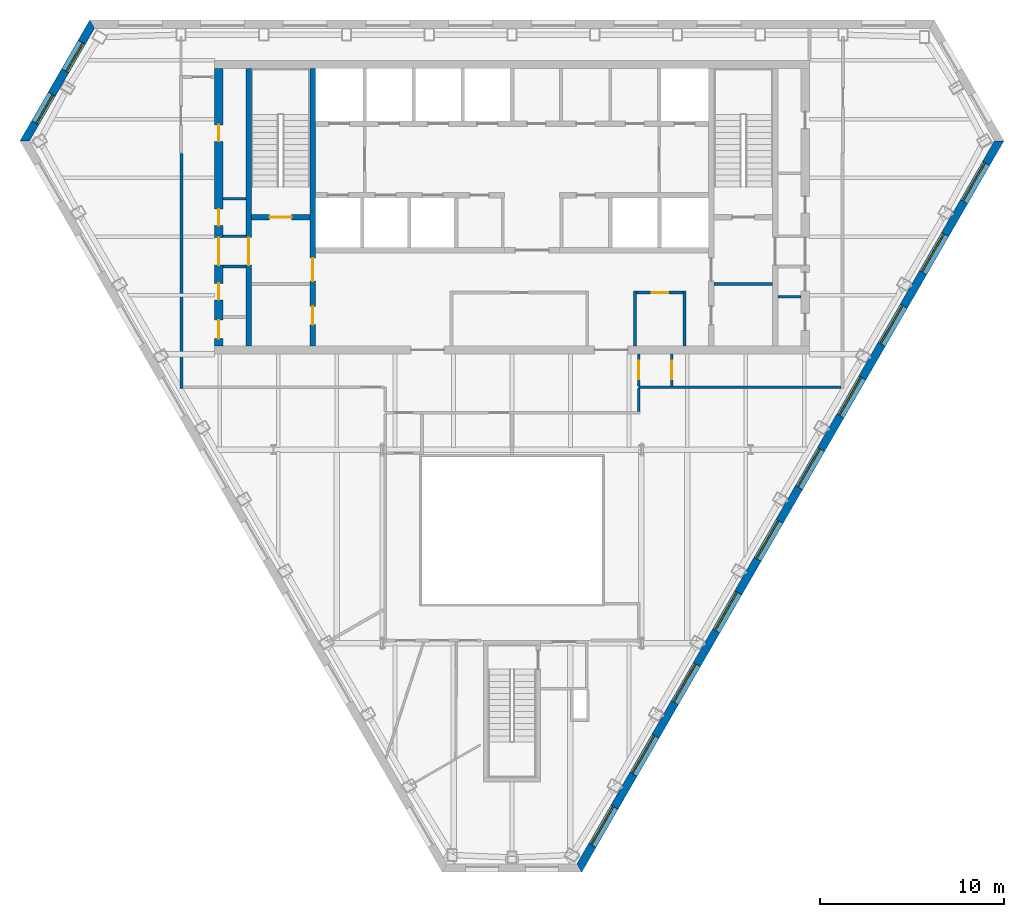
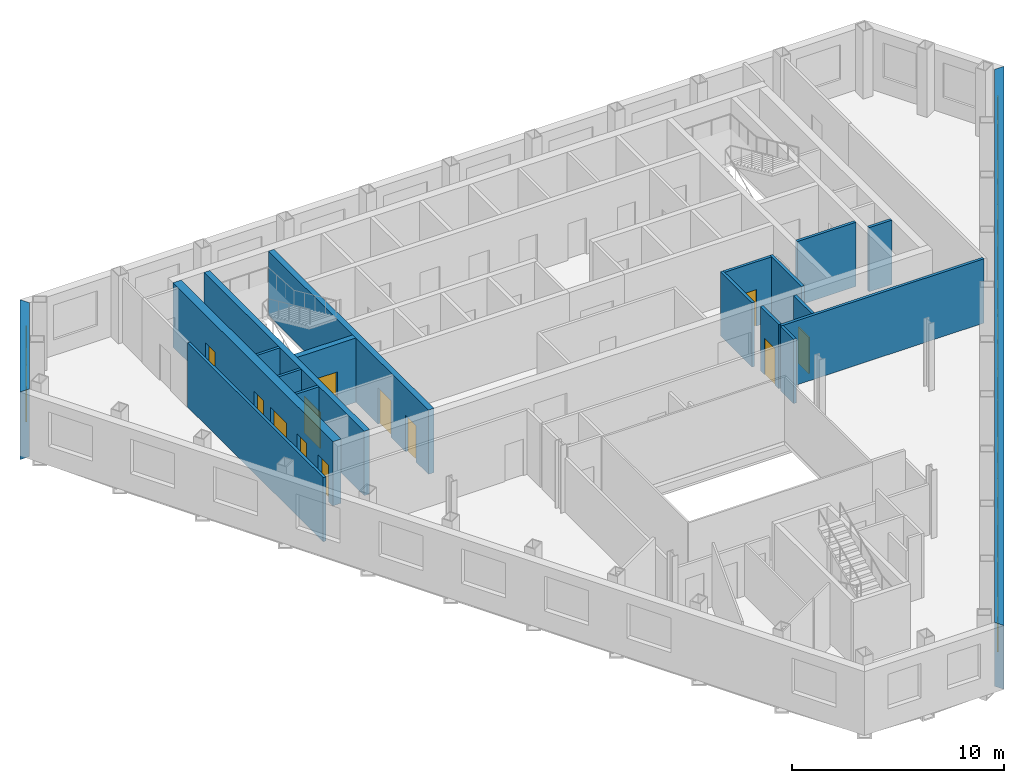
# One storey, part 5 of 10: 19 walls, 12 doors, 12 windows, 24 openings.
"""IFC4 building model written with IfcOpenShell, lengths in metres."""

from ifc_helpers import new_model, si_unit, direction, frame, frame_2d, origin, place, context, subcontext, project, spatial, polyline, rectangle, outline, extrude, material, layer, layer_set, type_object, element, fill, save


model = new_model("IFC4")

# Units and contexts
model_context = context("Model", 3, precision=1e-05, world=origin(), true_north=direction((0.0, 1.0)))
body_context = subcontext(model_context, "Body", "Model", "MODEL_VIEW")
ifc_project = project(units=[si_unit("LENGTHUNIT", "METRE"), si_unit("AREAUNIT", "SQUARE_METRE"), si_unit("VOLUMEUNIT", "CUBIC_METRE"), si_unit("PLANEANGLEUNIT", "RADIAN"), si_unit("MASSUNIT", "GRAM", prefix="KILO")], contexts=[model_context])

# Site, building, storey
site_placement = place(None, origin())
site = spatial("IfcSite", under=ifc_project, at=site_placement, CompositionType="ELEMENT")
building_placement = place(site_placement, origin())
building = spatial("IfcBuilding", under=site, at=building_placement, Name="Njiva Tower", CompositionType="ELEMENT")
storey_placement = place(building_placement, frame((0.0, 0.0, 192.6)))
storey = spatial("IfcBuildingStorey", under=building, at=storey_placement, Name="L42", CompositionType="ELEMENT", Elevation=192.6)

# Walls
ifc_material_1 = material(Name="Blockwork", Category="masonry")
ifc_layer_1 = layer(ifc_material_1, 0.15)
ifc_layer_set_1 = layer_set([ifc_layer_1], Name="Blockwork")
wall_type_1 = type_object("IfcWallType", Name="WT1 Compartment partition 150", PredefinedType="PARTITIONING", material=ifc_layer_set_1)
wall_1_placement = place(storey_placement, frame((11.0, 5.825, 0.0), z_axis=(0.0, 0.0, 1.0), x_axis=(1.0, 0.0, 0.0)))
element("IfcWall", 1, at=wall_1_placement, inside=storey, type_object=wall_type_1, Name="Room wall B", PredefinedType="PARTITIONING", context=body_context, shape_type="SweptSolid", body=[
    extrude(rectangle(XDim=3.2, YDim=0.15, at=frame_2d((1.6, 0.0))), origin(), (0.0, 0.0, 1.0), 3.7),
])
wall_2_placement = place(storey_placement, frame((14.5, 5.125, 0.0), z_axis=(0.0, 0.0, 1.0), x_axis=(1.0, 0.0, 0.0)))
element("IfcWall", 2, at=wall_2_placement, inside=storey, type_object=wall_type_1, Name="Partition strip E00", PredefinedType="PARTITIONING", context=body_context, shape_type="SweptSolid", body=[
    extrude(rectangle(XDim=1.25, YDim=0.15, at=frame_2d((0.625, 0.0))), origin(), (0.0, 0.0, 1.0), 3.7),
])
for number, where, z_axis, x_axis, name in (
    (3, (6.7, 2.45, 0.0), (0.0, 0.0, 1.0), (0.0, 1.0, 0.0), "Security office wall west"),
    (4, (9.4, 2.45, 0.0), (0.0, 0.0, 1.0), (0.0, 1.0, 0.0), "Security office wall east"),
):
    element("IfcWall", number, at=place(storey_placement, frame(where, z_axis=z_axis, x_axis=x_axis)), inside=storey, type_object=wall_type_1, Name=name, PredefinedType="PARTITIONING", context=body_context, shape_type="SweptSolid", body=[
        extrude(rectangle(XDim=2.975, YDim=0.15, at=frame_2d((1.4875, 0.0))), origin(), (0.0, 0.0, 1.0), 3.7),
    ])

# Wall, opening, door
wall_3_placement = place(storey_placement, frame((6.775, 5.35, 0.0), z_axis=(0.0, 0.0, 1.0), x_axis=(1.0, 0.0, 0.0)))
wall_3 = element("IfcWall", 5, at=wall_3_placement, inside=storey, type_object=wall_type_1, Name="Security office wall north", PredefinedType="PARTITIONING", context=body_context, shape_type="SweptSolid", body=[
    extrude(rectangle(XDim=2.55, YDim=0.15, at=frame_2d((1.275, 0.0))), origin(), (0.0, 0.0, 1.0), 3.7),
])
opening_1_placement = place(wall_3_placement, frame((0.825, 0.0, 0.0)))
opening_1 = element("IfcOpeningElement", 6, at=opening_1_placement, cuts=wall_3, Name="Opening S14-D935", PredefinedType="OPENING", context=body_context, shape_type="SweptSolid", body=[
    extrude(rectangle(XDim=0.9, YDim=2.1, at=frame_2d((0.45, 1.05))), frame((0.0, 0.085, 0.0), z_axis=(0.0, -1.0, 0.0), x_axis=(1.0, 0.0, 0.0)), (0.0, 0.0, 1.0), 0.17),
])
ifc_material_2 = material(Name="Steel fire door, painted", Category="steel")
door_type_1 = type_object("IfcDoorType", Name="D6 Fire-rated door 900x2100", OperationType="SINGLE_SWING_LEFT", PredefinedType="DOOR", material=ifc_material_2)
door_1_placement = place(opening_1_placement, origin())
door_1 = element("IfcDoor", 7, at=door_1_placement, inside=storey, type_object=door_type_1, Name="Security office door", OperationType="SINGLE_SWING_RIGHT", OverallHeight=2.1, OverallWidth=0.9, PredefinedType="DOOR", context=body_context, shape_type="SweptSolid", body=[
    extrude(rectangle(XDim=0.9, YDim=2.1, at=frame_2d((0.45, 1.05))), frame((0.0, 0.025, 0.0), z_axis=(0.0, -1.0, 0.0), x_axis=(1.0, 0.0, 0.0)), (0.0, 0.0, 1.0), 0.05),
])
fill(opening_1, door_1)

# Wall, openings, doors
ifc_material_3 = material(Name="Concrete C40/50", Category="concrete")
ifc_layer_2 = layer(ifc_material_3, 0.3)
ifc_layer_set_2 = layer_set([ifc_layer_2], Name="Concrete C40/50")
wall_type_2 = type_object("IfcWallType", Name="WT10 Stair enclosure wall 300", PredefinedType="SHEAR", material=ifc_layer_set_2)
wall_4_placement = place(storey_placement, frame((-10.85, 2.45, 0.0), z_axis=(0.0, 0.0, 1.0), x_axis=(0.0, 1.0, 0.0)))
wall_4 = element("IfcWall", 8, at=wall_4_placement, inside=storey, type_object=wall_type_2, Name="Stair wall west inner", PredefinedType="SHEAR", context=body_context, shape_type="SweptSolid", body=[
    extrude(rectangle(XDim=15.1, YDim=0.3, at=frame_2d((7.55, 0.0))), origin(), (0.0, 0.0, 1.0), 3.7),
])
opening_2_placement = place(wall_4_placement, frame((3.525, 0.0, 0.0)))
opening_2 = element("IfcOpeningElement", 9, at=opening_2_placement, cuts=wall_4, Name="Opening S14-D916", PredefinedType="OPENING", context=body_context, shape_type="SweptSolid", body=[
    extrude(rectangle(XDim=1.25, YDim=2.1, at=frame_2d((0.625, 1.05))), frame((0.0, 0.16, 0.0), z_axis=(0.0, -1.0, 0.0), x_axis=(1.0, 0.0, 0.0)), (0.0, 0.0, 1.0), 0.32),
])
opening_3_placement = place(wall_4_placement, frame((1.15, 0.0, 0.0)))
opening_3 = element("IfcOpeningElement", 10, at=opening_3_placement, cuts=wall_4, Name="Opening S14-D917", PredefinedType="OPENING", context=body_context, shape_type="SweptSolid", body=[
    extrude(rectangle(XDim=1.0, YDim=2.1, at=frame_2d((0.5, 1.05))), frame((0.0, 0.16, 0.0), z_axis=(0.0, -1.0, 0.0), x_axis=(1.0, 0.0, 0.0)), (0.0, 0.0, 1.0), 0.32),
])
ifc_material_4 = material(Name="Steel door, painted", Category="steel")
door_type_2 = type_object("IfcDoorType", Name="D5 Steel door 1000x2100", OperationType="SINGLE_SWING_LEFT", PredefinedType="DOOR", material=ifc_material_4)
door_2_placement = place(opening_3_placement, origin())
door_2 = element("IfcDoor", 11, at=door_2_placement, inside=storey, type_object=door_type_2, Name="Quiet room door", OperationType="SINGLE_SWING_RIGHT", OverallHeight=2.1, OverallWidth=1.0, PredefinedType="DOOR", context=body_context, shape_type="SweptSolid", body=[
    extrude(rectangle(XDim=1.0, YDim=2.1, at=frame_2d((0.5, 1.05))), frame((0.0, 0.025, 0.0), z_axis=(0.0, -1.0, 0.0), x_axis=(1.0, 0.0, 0.0)), (0.0, 0.0, 1.0), 0.05),
])
fill(opening_3, door_2)
ifc_material_5 = material(Name="Glazed steel fire door", Category="steel")
door_type_3 = type_object("IfcDoorType", Name="D8 Vestibule corridor door 1250x2100 glazed", OperationType="SINGLE_SWING_LEFT", PredefinedType="DOOR", material=ifc_material_5)
door_3_placement = place(opening_2_placement, origin())
door_3 = element("IfcDoor", 12, at=door_3_placement, inside=storey, type_object=door_type_3, Name="Stair vestibule corridor door", OperationType="SINGLE_SWING_LEFT", OverallHeight=2.1, OverallWidth=1.25, PredefinedType="DOOR", context=body_context, shape_type="SweptSolid", body=[
    extrude(rectangle(XDim=1.25, YDim=2.1, at=frame_2d((0.625, 1.05))), frame((0.0, 0.025, 0.0), z_axis=(0.0, -1.0, 0.0), x_axis=(1.0, 0.0, 0.0)), (0.0, 0.0, 1.0), 0.05),
])
fill(opening_2, door_3)

# Wall, opening, door
wall_5_placement = place(storey_placement, frame((-14.35, 2.45, 0.0), z_axis=(0.0, 0.0, 1.0), x_axis=(0.0, 1.0, 0.0)))
wall_5 = element("IfcWall", 13, at=wall_5_placement, inside=storey, type_object=wall_type_2, Name="Stair wall west outer", PredefinedType="SHEAR", context=body_context, shape_type="SweptSolid", body=[
    extrude(rectangle(XDim=15.1, YDim=0.3, at=frame_2d((7.55, 0.0))), origin(), (0.0, 0.0, 1.0), 3.7),
])
opening_4_placement = place(wall_5_placement, frame((4.4, 0.0, 0.0)))
opening_4 = element("IfcOpeningElement", 14, at=opening_4_placement, cuts=wall_5, Name="Opening S14-D922", PredefinedType="OPENING", context=body_context, shape_type="SweptSolid", body=[
    extrude(rectangle(XDim=1.5, YDim=2.1, at=frame_2d((0.75, 1.05))), frame((0.0, 0.16, 0.0), z_axis=(0.0, -1.0, 0.0), x_axis=(1.0, 0.0, 0.0)), (0.0, 0.0, 1.0), 0.32),
])
door_type_4 = type_object("IfcDoorType", Name="D10 Exit door double 1500x2100 glazed", OperationType="DOUBLE_DOOR_SINGLE_SWING", PredefinedType="DOOR", material=ifc_material_5)
door_4_placement = place(opening_4_placement, origin())
door_4 = element("IfcDoor", 15, at=door_4_placement, inside=storey, type_object=door_type_4, Name="Stair A passage door", OperationType="DOUBLE_DOOR_SINGLE_SWING", OverallHeight=2.1, OverallWidth=1.5, PredefinedType="DOOR", context=body_context, shape_type="SweptSolid", body=[
    extrude(rectangle(XDim=1.5, YDim=2.1, at=frame_2d((0.75, 1.05))), frame((0.0, 0.025, 0.0), z_axis=(0.0, -1.0, 0.0), x_axis=(1.0, 0.0, 0.0)), (0.0, 0.0, 1.0), 0.05),
])
fill(opening_4, door_4)

wall_6_placement = place(storey_placement, frame((-14.2, 9.45, 0.0), z_axis=(0.0, 0.0, 1.0), x_axis=(1.0, 0.0, 0.0)))
wall_6 = element("IfcWall", 16, at=wall_6_placement, inside=storey, type_object=wall_type_2, Name="Stair A south wall", PredefinedType="SHEAR", context=body_context, shape_type="SweptSolid", body=[
    extrude(rectangle(XDim=3.2, YDim=0.3, at=frame_2d((1.6, 0.0))), origin(), (0.0, 0.0, 1.0), 3.7),
])
opening_5_placement = place(wall_6_placement, frame((1.0, 0.0, 0.0)))
opening_5 = element("IfcOpeningElement", 17, at=opening_5_placement, cuts=wall_6, Name="Opening S14-D915", PredefinedType="OPENING", context=body_context, shape_type="SweptSolid", body=[
    extrude(rectangle(XDim=1.2, YDim=2.1, at=frame_2d((0.6, 1.05))), frame((0.0, 0.16, 0.0), z_axis=(0.0, -1.0, 0.0), x_axis=(1.0, 0.0, 0.0)), (0.0, 0.0, 1.0), 0.32),
])
door_type_5 = type_object("IfcDoorType", Name="D7 Stair vestibule door 1200x2100 glazed", OperationType="SINGLE_SWING_LEFT", PredefinedType="DOOR", material=ifc_material_5)
door_5_placement = place(opening_5_placement, origin())
door_5 = element("IfcDoor", 18, at=door_5_placement, inside=storey, type_object=door_type_5, Name="Stair A door", OperationType="SINGLE_SWING_LEFT", OverallHeight=2.1, OverallWidth=1.2, PredefinedType="DOOR", context=body_context, shape_type="SweptSolid", body=[
    extrude(rectangle(XDim=1.2, YDim=2.1, at=frame_2d((0.6, 1.05))), frame((0.0, 0.025, 0.0), z_axis=(0.0, -1.0, 0.0), x_axis=(1.0, 0.0, 0.0)), (0.0, 0.0, 1.0), 0.05),
])
fill(opening_5, door_5)

# Wall, openings, doors
ifc_material_6 = material(Name="Concrete C60/75", Category="concrete")
ifc_layer_3 = layer(ifc_material_6, 0.45)
ifc_layer_set_3 = layer_set([ifc_layer_3], Name="Concrete C60/75")
wall_type_3 = type_object("IfcWallType", Name="WT12 Core wall 450", PredefinedType="SHEAR", material=ifc_layer_set_3)
wall_7_placement = place(storey_placement, frame((-15.975, 2.45, 0.0), z_axis=(0.0, 0.0, 1.0), x_axis=(0.0, 1.0, 0.0)))
wall_7 = element("IfcWall", 19, at=wall_7_placement, inside=storey, type_object=wall_type_3, Name="Core wall west", PredefinedType="SHEAR", context=body_context, shape_type="SweptSolid", body=[
    extrude(rectangle(XDim=15.1, YDim=0.45, at=frame_2d((7.55, 0.0))), origin(), (0.0, 0.0, 1.0), 3.7),
])
opening_6_placement = place(wall_7_placement, frame((4.4, 0.0, 0.0)))
opening_6 = element("IfcOpeningElement", 20, at=opening_6_placement, cuts=wall_7, Name="Opening S14-D923", PredefinedType="OPENING", context=body_context, shape_type="SweptSolid", body=[
    extrude(rectangle(XDim=1.5, YDim=2.1, at=frame_2d((0.75, 1.05))), frame((0.0, 0.235, 0.0), z_axis=(0.0, -1.0, 0.0), x_axis=(1.0, 0.0, 0.0)), (0.0, 0.0, 1.0), 0.47),
])
opening_7_placement = place(wall_7_placement, frame((0.4, 0.0, 0.0)))
opening_7 = element("IfcOpeningElement", 21, at=opening_7_placement, cuts=wall_7, Name="Opening S14-D924", PredefinedType="OPENING", context=body_context, shape_type="SweptSolid", body=[
    extrude(rectangle(XDim=1.0, YDim=2.1, at=frame_2d((0.5, 1.05))), frame((0.0, 0.235, 0.0), z_axis=(0.0, -1.0, 0.0), x_axis=(1.0, 0.0, 0.0)), (0.0, 0.0, 1.0), 0.47),
])
opening_8_placement = place(wall_7_placement, frame((2.5, 0.0, 0.0)))
opening_8 = element("IfcOpeningElement", 22, at=opening_8_placement, cuts=wall_7, Name="Opening S14-D925", PredefinedType="OPENING", context=body_context, shape_type="SweptSolid", body=[
    extrude(rectangle(XDim=0.9, YDim=2.1, at=frame_2d((0.45, 1.05))), frame((0.0, 0.235, 0.0), z_axis=(0.0, -1.0, 0.0), x_axis=(1.0, 0.0, 0.0)), (0.0, 0.0, 1.0), 0.47),
])
opening_9_placement = place(wall_7_placement, frame((6.5439, 0.0, 0.0)))
opening_9 = element("IfcOpeningElement", 23, at=opening_9_placement, cuts=wall_7, Name="Opening S14-D926", PredefinedType="OPENING", context=body_context, shape_type="SweptSolid", body=[
    extrude(rectangle(XDim=0.9, YDim=2.1, at=frame_2d((0.45, 1.05))), frame((0.0, 0.235, 0.0), z_axis=(0.0, -1.0, 0.0), x_axis=(1.0, 0.0, 0.0)), (0.0, 0.0, 1.0), 0.47),
])
opening_10_placement = place(wall_7_placement, frame((11.1439, 0.0, 0.0)))
opening_10 = element("IfcOpeningElement", 24, at=opening_10_placement, cuts=wall_7, Name="Opening S14-D927", PredefinedType="OPENING", context=body_context, shape_type="SweptSolid", body=[
    extrude(rectangle(XDim=0.9, YDim=2.1, at=frame_2d((0.45, 1.05))), frame((0.0, 0.235, 0.0), z_axis=(0.0, -1.0, 0.0), x_axis=(1.0, 0.0, 0.0)), (0.0, 0.0, 1.0), 0.47),
])
door_6_placement = place(opening_6_placement, origin())
door_6 = element("IfcDoor", 25, at=door_6_placement, inside=storey, type_object=door_type_4, Name="Stair A corridor door", OperationType="DOUBLE_DOOR_SINGLE_SWING", OverallHeight=2.1, OverallWidth=1.5, PredefinedType="DOOR", context=body_context, shape_type="SweptSolid", body=[
    extrude(rectangle(XDim=1.5, YDim=2.1, at=frame_2d((0.75, 1.05))), frame((0.0, 0.025, 0.0), z_axis=(0.0, -1.0, 0.0), x_axis=(1.0, 0.0, 0.0)), (0.0, 0.0, 1.0), 0.05),
])
fill(opening_6, door_6)
door_type_6 = type_object("IfcDoorType", Name="D4 Riser door 900x2100", OperationType="SINGLE_SWING_LEFT", PredefinedType="DOOR", material=ifc_material_4)
door_7_placement = place(opening_9_placement, origin())
door_7 = element("IfcDoor", 26, at=door_7_placement, inside=storey, type_object=door_type_6, Name="Cable riser door", OperationType="SINGLE_SWING_RIGHT", OverallHeight=2.1, OverallWidth=0.9, PredefinedType="DOOR", context=body_context, shape_type="SweptSolid", body=[
    extrude(rectangle(XDim=0.9, YDim=2.1, at=frame_2d((0.45, 1.05))), frame((0.0, 0.025, 0.0), z_axis=(0.0, -1.0, 0.0), x_axis=(1.0, 0.0, 0.0)), (0.0, 0.0, 1.0), 0.05),
])
fill(opening_9, door_7)
door_8_placement = place(opening_7_placement, origin())
door_8 = element("IfcDoor", 27, at=door_8_placement, inside=storey, type_object=door_type_2, Name="Electrical room door", OperationType="SINGLE_SWING_RIGHT", OverallHeight=2.1, OverallWidth=1.0, PredefinedType="DOOR", context=body_context, shape_type="SweptSolid", body=[
    extrude(rectangle(XDim=1.0, YDim=2.1, at=frame_2d((0.5, 1.05))), frame((0.0, 0.025, 0.0), z_axis=(0.0, -1.0, 0.0), x_axis=(1.0, 0.0, 0.0)), (0.0, 0.0, 1.0), 0.05),
])
fill(opening_7, door_8)
door_9_placement = place(opening_8_placement, origin())
door_9 = element("IfcDoor", 28, at=door_9_placement, inside=storey, type_object=door_type_1, Name="Cable store door", OperationType="SINGLE_SWING_RIGHT", OverallHeight=2.1, OverallWidth=0.9, PredefinedType="DOOR", context=body_context, shape_type="SweptSolid", body=[
    extrude(rectangle(XDim=0.9, YDim=2.1, at=frame_2d((0.45, 1.05))), frame((0.0, 0.025, 0.0), z_axis=(0.0, -1.0, 0.0), x_axis=(1.0, 0.0, 0.0)), (0.0, 0.0, 1.0), 0.05),
])
fill(opening_8, door_9)
door_10_placement = place(opening_10_placement, origin())
door_10 = element("IfcDoor", 29, at=door_10_placement, inside=storey, type_object=door_type_1, Name="Cable store door", OperationType="SINGLE_SWING_LEFT", OverallHeight=2.1, OverallWidth=0.9, PredefinedType="DOOR", context=body_context, shape_type="SweptSolid", body=[
    extrude(rectangle(XDim=0.9, YDim=2.1, at=frame_2d((0.45, 1.05))), frame((0.0, 0.025, 0.0), z_axis=(0.0, -1.0, 0.0), x_axis=(1.0, 0.0, 0.0)), (0.0, 0.0, 1.0), 0.05),
])
fill(opening_10, door_10)

# Walls
ifc_material_7 = material(Name="Gypsum board on steel studs", Category="gypsum")
ifc_layer_4 = layer(ifc_material_7, 0.15)
ifc_layer_set_4 = layer_set([ifc_layer_4], Name="Gypsum board on steel studs")
wall_type_4 = type_object("IfcWallType", Name="WT21 Compartment wall 150", PredefinedType="PARTITIONING", material=ifc_layer_set_4)
wall_8_placement = place(storey_placement, frame((-18.0, 0.125, 0.0), z_axis=(0.0, 0.0, 1.0), x_axis=(0.0, 1.0, 0.0)))
element("IfcWall", 30, at=wall_8_placement, inside=storey, type_object=wall_type_4, Name="Partition S14-P003", PredefinedType="PARTITIONING", context=body_context, shape_type="SweptSolid", body=[
    extrude(rectangle(XDim=12.8, YDim=0.15, at=frame_2d((6.4, 0.0))), origin(), (0.0, 0.0, 1.0), 3.7),
])
wall_9_placement = place(storey_placement, frame((6.9, -1.125, 0.0), z_axis=(0.0, 0.0, 1.0), x_axis=(0.0, 1.0, 0.0)))
element("IfcWall", 31, at=wall_9_placement, inside=storey, type_object=wall_type_4, Name="Partition S14-P021", PredefinedType="PARTITIONING", context=body_context, shape_type="SweptSolid", body=[
    extrude(rectangle(XDim=1.25, YDim=0.15, at=frame_2d((0.625, 0.0))), origin(), (0.0, 0.0, 1.0), 3.7),
])
wall_10_placement = place(storey_placement, frame((6.9, 0.2, 0.0), z_axis=(0.0, 0.0, 1.0), x_axis=(1.0, 0.0, 0.0)))
element("IfcWall", 32, at=wall_10_placement, inside=storey, type_object=wall_type_4, Name="Partition S14-P022", PredefinedType="PARTITIONING", context=body_context, shape_type="SweptSolid", body=[
    extrude(rectangle(XDim=11.025, YDim=0.15, at=frame_2d((5.5125, 0.0))), origin(), (0.0, 0.0, 1.0), 3.7),
])

# Wall, opening, door
wall_11_placement = place(storey_placement, frame((6.9, 0.275, 0.0), z_axis=(0.0, 0.0, 1.0), x_axis=(0.0, 1.0, 0.0)))
wall_11 = element("IfcWall", 33, at=wall_11_placement, inside=storey, type_object=wall_type_4, Name="Partition S14-P023", PredefinedType="PARTITIONING", context=body_context, shape_type="SweptSolid", body=[
    extrude(rectangle(XDim=1.725, YDim=0.15, at=frame_2d((0.8625, 0.0))), origin(), (0.0, 0.0, 1.0), 3.7),
])
opening_11_placement = place(wall_11_placement, frame((0.362, 0.0, 0.0)))
opening_11 = element("IfcOpeningElement", 34, at=opening_11_placement, cuts=wall_11, Name="Opening S14-D010", PredefinedType="OPENING", context=body_context, shape_type="SweptSolid", body=[
    extrude(rectangle(XDim=1.0, YDim=2.1, at=frame_2d((0.5, 1.05))), frame((0.0, 0.085, 0.0), z_axis=(0.0, -1.0, 0.0), x_axis=(1.0, 0.0, 0.0)), (0.0, 0.0, 1.0), 0.17),
])
ifc_material_8 = material(Name="Steel fire door set", Category="steel")
door_type_7 = type_object("IfcDoorType", Name="D37 Fire door 1000x2100", OperationType="SINGLE_SWING_LEFT", PredefinedType="DOOR", material=ifc_material_8)
door_11_placement = place(opening_11_placement, origin())
door_11 = element("IfcDoor", 35, at=door_11_placement, inside=storey, type_object=door_type_7, Name="Door S14-D010", OperationType="SINGLE_SWING_LEFT", OverallHeight=2.1, OverallWidth=1.0, PredefinedType="DOOR", context=body_context, shape_type="SweptSolid", body=[
    extrude(rectangle(XDim=1.0, YDim=2.1, at=frame_2d((0.5, 1.05))), frame((0.0, 0.025, 0.0), z_axis=(0.0, -1.0, 0.0), x_axis=(1.0, 0.0, 0.0)), (0.0, 0.0, 1.0), 0.05),
])
fill(opening_11, door_11)

wall_12_placement = place(storey_placement, frame((8.7, 0.275, 0.0), z_axis=(0.0, 0.0, 1.0), x_axis=(0.0, 1.0, 0.0)))
wall_12 = element("IfcWall", 36, at=wall_12_placement, inside=storey, type_object=wall_type_4, Name="Partition S14-P024", PredefinedType="PARTITIONING", context=body_context, shape_type="SweptSolid", body=[
    extrude(rectangle(XDim=1.725, YDim=0.15, at=frame_2d((0.8625, 0.0))), origin(), (0.0, 0.0, 1.0), 3.7),
])
opening_12_placement = place(wall_12_placement, frame((0.363, 0.0, 0.0)))
opening_12 = element("IfcOpeningElement", 37, at=opening_12_placement, cuts=wall_12, Name="Opening S14-D011", PredefinedType="OPENING", context=body_context, shape_type="SweptSolid", body=[
    extrude(rectangle(XDim=1.0, YDim=2.1, at=frame_2d((0.5, 1.05))), frame((0.0, 0.085, 0.0), z_axis=(0.0, -1.0, 0.0), x_axis=(1.0, 0.0, 0.0)), (0.0, 0.0, 1.0), 0.17),
])
door_12_placement = place(opening_12_placement, origin())
door_12 = element("IfcDoor", 38, at=door_12_placement, inside=storey, type_object=door_type_7, Name="Door S14-D011", OperationType="SINGLE_SWING_RIGHT", OverallHeight=2.1, OverallWidth=1.0, PredefinedType="DOOR", context=body_context, shape_type="SweptSolid", body=[
    extrude(rectangle(XDim=1.0, YDim=2.1, at=frame_2d((0.5, 1.05))), frame((0.0, 0.025, 0.0), z_axis=(0.0, -1.0, 0.0), x_axis=(1.0, 0.0, 0.0)), (0.0, 0.0, 1.0), 0.05),
])
fill(opening_12, door_12)

# Walls
ifc_layer_5 = layer(ifc_material_1, 0.15)
ifc_layer_set_5 = layer_set([ifc_layer_5], Name="Blockwork")
wall_type_5 = type_object("IfcWallType", Name="WT3 Riser partition 150", PredefinedType="PARTITIONING", material=ifc_layer_set_5)
wall_13_placement = place(storey_placement, frame((-15.75, 10.4629, 0.0), z_axis=(0.0, 0.0, 1.0), x_axis=(1.0, 0.0, 0.0)))
element("IfcWall", 39, at=wall_13_placement, inside=storey, type_object=wall_type_5, Name="Partition strip W10", PredefinedType="PARTITIONING", context=body_context, shape_type="SweptSolid", body=[
    extrude(rectangle(XDim=1.25, YDim=0.15, at=frame_2d((0.625, 0.0))), origin(), (0.0, 0.0, 1.0), 3.7),
])
ifc_layer_6 = layer(ifc_material_1, 0.15)
ifc_layer_set_6 = layer_set([ifc_layer_6], Name="Blockwork")
wall_type_6 = type_object("IfcWallType", Name="WT4 Stair partition 150", PredefinedType="PARTITIONING", material=ifc_layer_set_6)
for number, where, z_axis, x_axis, name in (
    (40, (-15.75, 6.775, 0.0), (0.0, 0.0, 1.0), (1.0, 0.0, 0.0), "Stair A exit passage wall south"),
    (41, (-15.75, 8.425, 0.0), (0.0, 0.0, 1.0), (1.0, 0.0, 0.0), "Stair A exit passage wall north"),
):
    element("IfcWall", number, at=place(storey_placement, frame(where, z_axis=z_axis, x_axis=x_axis)), inside=storey, type_object=wall_type_6, Name=name, PredefinedType="PARTITIONING", context=body_context, shape_type="SweptSolid", body=[
        extrude(rectangle(XDim=1.25, YDim=0.15, at=frame_2d((0.625, 0.0))), origin(), (0.0, 0.0, 1.0), 3.7),
    ])

# Wall, openings, windows
ifc_material_9 = material(Name="Brick masonry", Category="masonry")
ifc_layer_7 = layer(ifc_material_9, 0.45)
ifc_layer_set_7 = layer_set([ifc_layer_7], Name="Brick masonry")
wall_type_7 = type_object("IfcWallType", Name="WT90 Brick pier and spandrel wall 450", PredefinedType="SOLIDWALL", material=ifc_layer_set_7)
wall_14_placement = place(storey_placement, frame((3.6701, -25.994, -0.18), z_axis=(0.0, 0.0, 1.0), x_axis=(0.499999764979, 0.866025539474, 0.0)))
wall_14 = element("IfcWall", 42, at=wall_14_placement, inside=storey, type_object=wall_type_7, Name="Facade wall SE", PredefinedType="SOLIDWALL", context=body_context, shape_type="SweptSolid", body=[
    extrude(outline(polyline([(-0.1299, -0.225), (45.8701, -0.225), (45.6103, 0.225), (0.1299, 0.225), (-0.1299, -0.225)])), origin(), (0.0, 0.0, 1.0), 3.68),
])
opening_13_placement = place(wall_14_placement, frame((1.4242, 0.0, 1.08)))
opening_13 = element("IfcOpeningElement", 43, at=opening_13_placement, cuts=wall_14, Name="Opening S14-W23", PredefinedType="OPENING", context=body_context, shape_type="SweptSolid", body=[
    extrude(rectangle(XDim=2.4, YDim=2.0, at=frame_2d((1.2, 1.0))), frame((0.0, 0.235, 0.0), z_axis=(0.0, -1.0, 0.0), x_axis=(1.0, 0.0, 0.0)), (0.0, 0.0, 1.0), 0.47),
])
opening_14_placement = place(wall_14_placement, frame((5.8934, 0.0, 1.08)))
opening_14 = element("IfcOpeningElement", 44, at=opening_14_placement, cuts=wall_14, Name="Opening S14-W24", PredefinedType="OPENING", context=body_context, shape_type="SweptSolid", body=[
    extrude(rectangle(XDim=2.4, YDim=2.0, at=frame_2d((1.2, 1.0))), frame((0.0, 0.235, 0.0), z_axis=(0.0, -1.0, 0.0), x_axis=(1.0, 0.0, 0.0)), (0.0, 0.0, 1.0), 0.47),
])
opening_15_placement = place(wall_14_placement, frame((10.401, 0.0, 1.08)))
opening_15 = element("IfcOpeningElement", 45, at=opening_15_placement, cuts=wall_14, Name="Opening S14-W25", PredefinedType="OPENING", context=body_context, shape_type="SweptSolid", body=[
    extrude(rectangle(XDim=2.4, YDim=2.0, at=frame_2d((1.2, 1.0))), frame((0.0, 0.235, 0.0), z_axis=(0.0, -1.0, 0.0), x_axis=(1.0, 0.0, 0.0)), (0.0, 0.0, 1.0), 0.47),
])
opening_16_placement = place(wall_14_placement, frame((14.9087, 0.0, 1.08)))
opening_16 = element("IfcOpeningElement", 46, at=opening_16_placement, cuts=wall_14, Name="Opening S14-W26", PredefinedType="OPENING", context=body_context, shape_type="SweptSolid", body=[
    extrude(rectangle(XDim=2.4, YDim=2.0, at=frame_2d((1.2, 1.0))), frame((0.0, 0.235, 0.0), z_axis=(0.0, -1.0, 0.0), x_axis=(1.0, 0.0, 0.0)), (0.0, 0.0, 1.0), 0.47),
])
opening_17_placement = place(wall_14_placement, frame((19.4163, 0.0, 1.08)))
opening_17 = element("IfcOpeningElement", 47, at=opening_17_placement, cuts=wall_14, Name="Opening S14-W27", PredefinedType="OPENING", context=body_context, shape_type="SweptSolid", body=[
    extrude(rectangle(XDim=2.4, YDim=2.0, at=frame_2d((1.2, 1.0))), frame((0.0, 0.235, 0.0), z_axis=(0.0, -1.0, 0.0), x_axis=(1.0, 0.0, 0.0)), (0.0, 0.0, 1.0), 0.47),
])
opening_18_placement = place(wall_14_placement, frame((23.9239, 0.0, 1.08)))
opening_18 = element("IfcOpeningElement", 48, at=opening_18_placement, cuts=wall_14, Name="Opening S14-W28", PredefinedType="OPENING", context=body_context, shape_type="SweptSolid", body=[
    extrude(rectangle(XDim=2.4, YDim=2.0, at=frame_2d((1.2, 1.0))), frame((0.0, 0.235, 0.0), z_axis=(0.0, -1.0, 0.0), x_axis=(1.0, 0.0, 0.0)), (0.0, 0.0, 1.0), 0.47),
])
opening_19_placement = place(wall_14_placement, frame((28.4315, 0.0, 1.08)))
opening_19 = element("IfcOpeningElement", 49, at=opening_19_placement, cuts=wall_14, Name="Opening S14-W29", PredefinedType="OPENING", context=body_context, shape_type="SweptSolid", body=[
    extrude(rectangle(XDim=2.4, YDim=2.0, at=frame_2d((1.2, 1.0))), frame((0.0, 0.235, 0.0), z_axis=(0.0, -1.0, 0.0), x_axis=(1.0, 0.0, 0.0)), (0.0, 0.0, 1.0), 0.47),
])
opening_20_placement = place(wall_14_placement, frame((32.9391, 0.0, 1.08)))
opening_20 = element("IfcOpeningElement", 50, at=opening_20_placement, cuts=wall_14, Name="Opening S14-W30", PredefinedType="OPENING", context=body_context, shape_type="SweptSolid", body=[
    extrude(rectangle(XDim=2.4, YDim=2.0, at=frame_2d((1.2, 1.0))), frame((0.0, 0.235, 0.0), z_axis=(0.0, -1.0, 0.0), x_axis=(1.0, 0.0, 0.0)), (0.0, 0.0, 1.0), 0.47),
])
opening_21_placement = place(wall_14_placement, frame((37.4468, 0.0, 1.08)))
opening_21 = element("IfcOpeningElement", 51, at=opening_21_placement, cuts=wall_14, Name="Opening S14-W31", PredefinedType="OPENING", context=body_context, shape_type="SweptSolid", body=[
    extrude(rectangle(XDim=2.4, YDim=2.0, at=frame_2d((1.2, 1.0))), frame((0.0, 0.235, 0.0), z_axis=(0.0, -1.0, 0.0), x_axis=(1.0, 0.0, 0.0)), (0.0, 0.0, 1.0), 0.47),
])
opening_22_placement = place(wall_14_placement, frame((41.916, 0.0, 1.08)))
opening_22 = element("IfcOpeningElement", 52, at=opening_22_placement, cuts=wall_14, Name="Opening S14-W32", PredefinedType="OPENING", context=body_context, shape_type="SweptSolid", body=[
    extrude(rectangle(XDim=2.4, YDim=2.0, at=frame_2d((1.2, 1.0))), frame((0.0, 0.235, 0.0), z_axis=(0.0, -1.0, 0.0), x_axis=(1.0, 0.0, 0.0)), (0.0, 0.0, 1.0), 0.47),
])
ifc_material_10 = material(Name="Clear glazing in aluminium frame", Category="aluminium")
window_type_1 = type_object("IfcWindowType", Name="W90 Deep-set window 2400x2000", PartitioningType="SINGLE_PANEL", PredefinedType="WINDOW", material=ifc_material_10)
window_1_placement = place(opening_13_placement, origin())
window_1 = element("IfcWindow", 53, at=window_1_placement, inside=storey, type_object=window_type_1, Name="Window", OverallHeight=2.0, OverallWidth=2.4, PartitioningType="SINGLE_PANEL", PredefinedType="WINDOW", context=body_context, shape_type="SweptSolid", body=[
    extrude(rectangle(XDim=2.4, YDim=2.0, at=frame_2d((1.2, 1.0))), frame((0.0, 0.105, 0.0), z_axis=(0.0, -1.0, 0.0), x_axis=(1.0, 0.0, 0.0)), (0.0, 0.0, 1.0), 0.06),
])
fill(opening_13, window_1)
window_2_placement = place(opening_14_placement, origin())
window_2 = element("IfcWindow", 54, at=window_2_placement, inside=storey, type_object=window_type_1, Name="Window", OverallHeight=2.0, OverallWidth=2.4, PartitioningType="SINGLE_PANEL", PredefinedType="WINDOW", context=body_context, shape_type="SweptSolid", body=[
    extrude(rectangle(XDim=2.4, YDim=2.0, at=frame_2d((1.2, 1.0))), frame((0.0, 0.105, 0.0), z_axis=(0.0, -1.0, 0.0), x_axis=(1.0, 0.0, 0.0)), (0.0, 0.0, 1.0), 0.06),
])
fill(opening_14, window_2)
window_3_placement = place(opening_15_placement, origin())
window_3 = element("IfcWindow", 55, at=window_3_placement, inside=storey, type_object=window_type_1, Name="Window", OverallHeight=2.0, OverallWidth=2.4, PartitioningType="SINGLE_PANEL", PredefinedType="WINDOW", context=body_context, shape_type="SweptSolid", body=[
    extrude(rectangle(XDim=2.4, YDim=2.0, at=frame_2d((1.2, 1.0))), frame((0.0, 0.105, 0.0), z_axis=(0.0, -1.0, 0.0), x_axis=(1.0, 0.0, 0.0)), (0.0, 0.0, 1.0), 0.06),
])
fill(opening_15, window_3)
window_4_placement = place(opening_16_placement, origin())
window_4 = element("IfcWindow", 56, at=window_4_placement, inside=storey, type_object=window_type_1, Name="Window", OverallHeight=2.0, OverallWidth=2.4, PartitioningType="SINGLE_PANEL", PredefinedType="WINDOW", context=body_context, shape_type="SweptSolid", body=[
    extrude(rectangle(XDim=2.4, YDim=2.0, at=frame_2d((1.2, 1.0))), frame((0.0, 0.105, 0.0), z_axis=(0.0, -1.0, 0.0), x_axis=(1.0, 0.0, 0.0)), (0.0, 0.0, 1.0), 0.06),
])
fill(opening_16, window_4)
window_5_placement = place(opening_17_placement, origin())
window_5 = element("IfcWindow", 57, at=window_5_placement, inside=storey, type_object=window_type_1, Name="Window", OverallHeight=2.0, OverallWidth=2.4, PartitioningType="SINGLE_PANEL", PredefinedType="WINDOW", context=body_context, shape_type="SweptSolid", body=[
    extrude(rectangle(XDim=2.4, YDim=2.0, at=frame_2d((1.2, 1.0))), frame((0.0, 0.105, 0.0), z_axis=(0.0, -1.0, 0.0), x_axis=(1.0, 0.0, 0.0)), (0.0, 0.0, 1.0), 0.06),
])
fill(opening_17, window_5)
window_6_placement = place(opening_18_placement, origin())
window_6 = element("IfcWindow", 58, at=window_6_placement, inside=storey, type_object=window_type_1, Name="Window", OverallHeight=2.0, OverallWidth=2.4, PartitioningType="SINGLE_PANEL", PredefinedType="WINDOW", context=body_context, shape_type="SweptSolid", body=[
    extrude(rectangle(XDim=2.4, YDim=2.0, at=frame_2d((1.2, 1.0))), frame((0.0, 0.105, 0.0), z_axis=(0.0, -1.0, 0.0), x_axis=(1.0, 0.0, 0.0)), (0.0, 0.0, 1.0), 0.06),
])
fill(opening_18, window_6)
window_7_placement = place(opening_19_placement, origin())
window_7 = element("IfcWindow", 59, at=window_7_placement, inside=storey, type_object=window_type_1, Name="Window", OverallHeight=2.0, OverallWidth=2.4, PartitioningType="SINGLE_PANEL", PredefinedType="WINDOW", context=body_context, shape_type="SweptSolid", body=[
    extrude(rectangle(XDim=2.4, YDim=2.0, at=frame_2d((1.2, 1.0))), frame((0.0, 0.105, 0.0), z_axis=(0.0, -1.0, 0.0), x_axis=(1.0, 0.0, 0.0)), (0.0, 0.0, 1.0), 0.06),
])
fill(opening_19, window_7)
window_8_placement = place(opening_20_placement, origin())
window_8 = element("IfcWindow", 60, at=window_8_placement, inside=storey, type_object=window_type_1, Name="Window", OverallHeight=2.0, OverallWidth=2.4, PartitioningType="SINGLE_PANEL", PredefinedType="WINDOW", context=body_context, shape_type="SweptSolid", body=[
    extrude(rectangle(XDim=2.4, YDim=2.0, at=frame_2d((1.2, 1.0))), frame((0.0, 0.105, 0.0), z_axis=(0.0, -1.0, 0.0), x_axis=(1.0, 0.0, 0.0)), (0.0, 0.0, 1.0), 0.06),
])
fill(opening_20, window_8)
window_9_placement = place(opening_21_placement, origin())
window_9 = element("IfcWindow", 61, at=window_9_placement, inside=storey, type_object=window_type_1, Name="Window", OverallHeight=2.0, OverallWidth=2.4, PartitioningType="SINGLE_PANEL", PredefinedType="WINDOW", context=body_context, shape_type="SweptSolid", body=[
    extrude(rectangle(XDim=2.4, YDim=2.0, at=frame_2d((1.2, 1.0))), frame((0.0, 0.105, 0.0), z_axis=(0.0, -1.0, 0.0), x_axis=(1.0, 0.0, 0.0)), (0.0, 0.0, 1.0), 0.06),
])
fill(opening_21, window_9)
window_10_placement = place(opening_22_placement, origin())
window_10 = element("IfcWindow", 62, at=window_10_placement, inside=storey, type_object=window_type_1, Name="Window", OverallHeight=2.0, OverallWidth=2.4, PartitioningType="SINGLE_PANEL", PredefinedType="WINDOW", context=body_context, shape_type="SweptSolid", body=[
    extrude(rectangle(XDim=2.4, YDim=2.0, at=frame_2d((1.2, 1.0))), frame((0.0, 0.105, 0.0), z_axis=(0.0, -1.0, 0.0), x_axis=(1.0, 0.0, 0.0)), (0.0, 0.0, 1.0), 0.06),
])
fill(opening_22, window_10)

ifc_material_11 = material(Name="Brick masonry, buff", Category="masonry")
ifc_layer_8 = layer(ifc_material_11, 0.45)
ifc_layer_set_8 = layer_set([ifc_layer_8], Name="Brick masonry, buff")
wall_type_8 = type_object("IfcWallType", Name="WT94 Brick pier and spandrel wall 450, buff", PredefinedType="SOLIDWALL", material=ifc_layer_set_8)
wall_15_placement = place(storey_placement, frame((-22.8701, 19.975, -0.4), z_axis=(0.0, 0.0, 1.0), x_axis=(-0.499999980465, -0.866025415063, 0.0)))
wall_15 = element("IfcWall", 63, at=wall_15_placement, inside=storey, type_object=wall_type_8, Name="Facade wall NW", PredefinedType="SOLIDWALL", context=body_context, shape_type="SweptSolid", body=[
    extrude(outline(polyline([(-0.1299, -0.225), (7.4701, -0.225), (7.2103, 0.225), (0.1299, 0.225), (-0.1299, -0.225)])), origin(), (0.0, 0.0, 1.0), 3.9),
])
opening_23_placement = place(wall_15_placement, frame((1.1394, 0.0, 1.3)))
opening_23 = element("IfcOpeningElement", 64, at=opening_23_placement, cuts=wall_15, Name="Opening S14-W10", PredefinedType="OPENING", context=body_context, shape_type="SweptSolid", body=[
    extrude(rectangle(XDim=1.8, YDim=2.0, at=frame_2d((0.9, 1.0))), frame((0.0, 0.235, 0.0), z_axis=(0.0, -1.0, 0.0), x_axis=(1.0, 0.0, 0.0)), (0.0, 0.0, 1.0), 0.47),
])
opening_24_placement = place(wall_15_placement, frame((4.4007, 0.0, 1.3)))
opening_24 = element("IfcOpeningElement", 65, at=opening_24_placement, cuts=wall_15, Name="Opening S14-W11", PredefinedType="OPENING", context=body_context, shape_type="SweptSolid", body=[
    extrude(rectangle(XDim=1.8, YDim=2.0, at=frame_2d((0.9, 1.0))), frame((0.0, 0.235, 0.0), z_axis=(0.0, -1.0, 0.0), x_axis=(1.0, 0.0, 0.0)), (0.0, 0.0, 1.0), 0.47),
])
window_type_2 = type_object("IfcWindowType", Name="W94 Deep-set window 1800x2000", PartitioningType="SINGLE_PANEL", PredefinedType="WINDOW", material=ifc_material_10)
window_11_placement = place(opening_23_placement, origin())
window_11 = element("IfcWindow", 66, at=window_11_placement, inside=storey, type_object=window_type_2, Name="Window", OverallHeight=2.0, OverallWidth=1.8, PartitioningType="SINGLE_PANEL", PredefinedType="WINDOW", context=body_context, shape_type="SweptSolid", body=[
    extrude(rectangle(XDim=1.8, YDim=2.0, at=frame_2d((0.9, 1.0))), frame((0.0, 0.105, 0.0), z_axis=(0.0, -1.0, 0.0), x_axis=(1.0, 0.0, 0.0)), (0.0, 0.0, 1.0), 0.06),
])
fill(opening_23, window_11)
window_12_placement = place(opening_24_placement, origin())
window_12 = element("IfcWindow", 67, at=window_12_placement, inside=storey, type_object=window_type_2, Name="Window", OverallHeight=2.0, OverallWidth=1.8, PartitioningType="SINGLE_PANEL", PredefinedType="WINDOW", context=body_context, shape_type="SweptSolid", body=[
    extrude(rectangle(XDim=1.8, YDim=2.0, at=frame_2d((0.9, 1.0))), frame((0.0, 0.105, 0.0), z_axis=(0.0, -1.0, 0.0), x_axis=(1.0, 0.0, 0.0)), (0.0, 0.0, 1.0), 0.06),
])
fill(opening_24, window_12)

save(model, "model.ifc")
